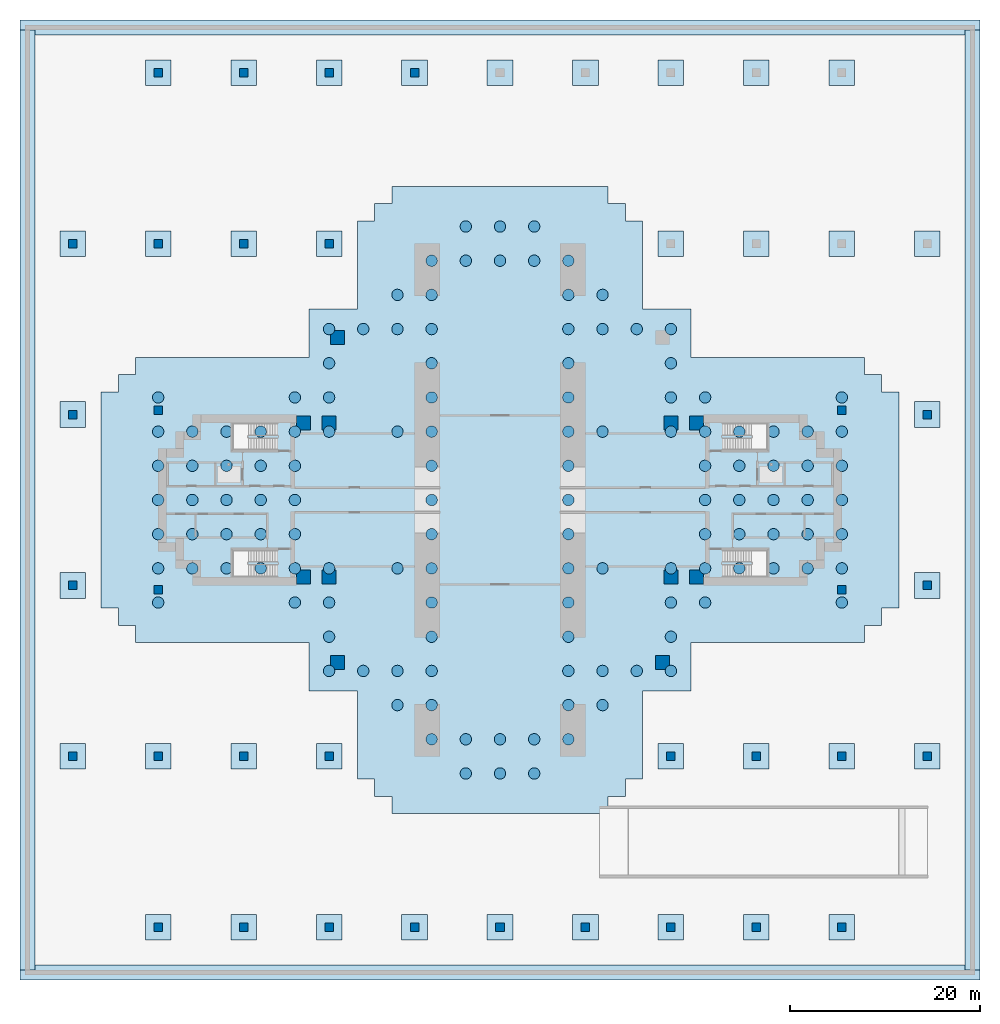
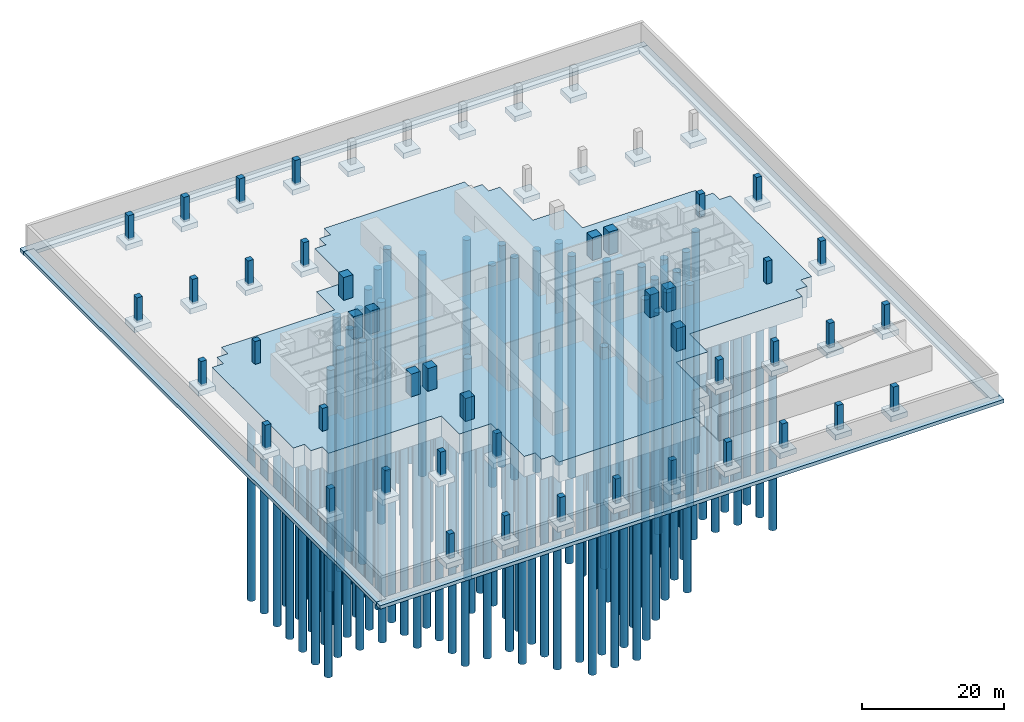
# One storey, part 1 of 11: 132 piles, 44 columns, 43 footings.
"""IFC4 building model written with IfcOpenShell, lengths in metres."""

from ifc_helpers import new_model, si_unit, direction, frame, origin, origin_2d, place, context, subcontext, project, spatial, polyline, rectangle, circle, outline, extrude, material, layer, layer_set, material_profile, profile_set, type_object, element, save


model = new_model("IFC4")

# Units and contexts
model_context = context("Model", 3, precision=1e-05, world=origin(), true_north=direction((0.0, 1.0)))
body_context = subcontext(model_context, "Body", "Model", "MODEL_VIEW")
ifc_project = project(units=[si_unit("LENGTHUNIT", "METRE"), si_unit("AREAUNIT", "SQUARE_METRE"), si_unit("VOLUMEUNIT", "CUBIC_METRE"), si_unit("PLANEANGLEUNIT", "RADIAN"), si_unit("MASSUNIT", "GRAM", prefix="KILO")], contexts=[model_context])

# Site, building, storey
site_placement = place(None, origin())
site = spatial("IfcSite", under=ifc_project, at=site_placement, CompositionType="ELEMENT")
building_placement = place(site_placement, origin())
building = spatial("IfcBuilding", under=site, at=building_placement, Name="Perihelion Cross Residences", CompositionType="ELEMENT")
storey_placement = place(building_placement, frame((0.0, 0.0, -17.10009765625)))
storey = spatial("IfcBuildingStorey", under=building, at=storey_placement, Name="B4", CompositionType="ELEMENT", Elevation=-17.10009765625)

# Piles
ifc_material_1 = material(Name="Concrete C40/50", Category="concrete")
pile_type = type_object("IfcPileType", Name="Bored pile 1200 concrete C40/50", PredefinedType="BORED", material=ifc_material_1)
for number, where, z_axis, x_axis, name in (
    (1, (-36.0, -10.800048828125, -3.4248046875), (0.0, 0.0, -1.0), (1.0, 0.0, 0.0), "Pile PL1 B4 1 no. 1"),
    (2, (-36.0, -7.199951171875, -3.4248046875), (0.0, 0.0, -1.0), (1.0, 0.0, 0.0), "Pile PL1 B4 2 no. 1"),
    (3, (-36.0, -3.60009765625, -3.4248046875), (0.0, 0.0, -1.0), (1.0, 0.0, 0.0), "Pile PL1 B4 3 no. 1"),
    (4, (-36.0, 0.0, -3.4248046875), (0.0, 0.0, -1.0), (1.0, 0.0, 0.0), "Pile PL1 B4 4 no. 1"),
    (5, (-36.0, 3.60009765625, -3.4248046875), (0.0, 0.0, -1.0), (1.0, 0.0, 0.0), "Pile PL1 B4 5 no. 1"),
    (6, (-36.0, 7.199951171875, -3.4248046875), (0.0, 0.0, -1.0), (1.0, 0.0, 0.0), "Pile PL1 B4 6 no. 1"),
    (7, (-36.0, 10.800048828125, -3.4248046875), (0.0, 0.0, -1.0), (1.0, 0.0, 0.0), "Pile PL1 B4 7 no. 1"),
    (8, (-32.39990234375, -7.199951171875, -3.4248046875), (0.0, 0.0, -1.0), (1.0, 0.0, 0.0), "Pile PL1 B4 8 no. 1"),
    (9, (-32.39990234375, -3.60009765625, -3.4248046875), (0.0, 0.0, -1.0), (1.0, 0.0, 0.0), "Pile PL1 B4 9 no. 1"),
    (10, (-32.39990234375, 0.0, -3.4248046875), (0.0, 0.0, -1.0), (1.0, 0.0, 0.0), "Pile PL1 B4 10 no. 1"),
    (11, (-32.39990234375, 3.60009765625, -3.4248046875), (0.0, 0.0, -1.0), (1.0, 0.0, 0.0), "Pile PL1 B4 11 no. 1"),
    (12, (-32.39990234375, 7.199951171875, -3.4248046875), (0.0, 0.0, -1.0), (1.0, 0.0, 0.0), "Pile PL1 B4 12 no. 1"),
    (13, (-28.800048828125, -7.199951171875, -3.4248046875), (0.0, 0.0, -1.0), (1.0, 0.0, 0.0), "Pile PL1 B4 13 no. 1"),
    (14, (-28.800048828125, -3.60009765625, -3.4248046875), (0.0, 0.0, -1.0), (1.0, 0.0, 0.0), "Pile PL1 B4 14 no. 1"),
    (15, (-28.800048828125, 0.0, -3.4248046875), (0.0, 0.0, -1.0), (1.0, 0.0, 0.0), "Pile PL1 B4 15 no. 1"),
    (16, (-28.800048828125, 3.60009765625, -3.4248046875), (0.0, 0.0, -1.0), (1.0, 0.0, 0.0), "Pile PL1 B4 16 no. 1"),
    (17, (-28.800048828125, 7.199951171875, -3.4248046875), (0.0, 0.0, -1.0), (1.0, 0.0, 0.0), "Pile PL1 B4 17 no. 1"),
    (18, (-25.199951171875, -7.199951171875, -3.4248046875), (0.0, 0.0, -1.0), (1.0, 0.0, 0.0), "Pile PL1 B4 18 no. 1"),
    (19, (-25.199951171875, -3.60009765625, -3.4248046875), (0.0, 0.0, -1.0), (1.0, 0.0, 0.0), "Pile PL1 B4 19 no. 1"),
    (20, (-25.199951171875, 0.0, -3.4248046875), (0.0, 0.0, -1.0), (1.0, 0.0, 0.0), "Pile PL1 B4 20 no. 1"),
    (21, (-25.199951171875, 3.60009765625, -3.4248046875), (0.0, 0.0, -1.0), (1.0, 0.0, 0.0), "Pile PL1 B4 21 no. 1"),
    (22, (-25.199951171875, 7.199951171875, -3.4248046875), (0.0, 0.0, -1.0), (1.0, 0.0, 0.0), "Pile PL1 B4 22 no. 1"),
    (23, (-21.60009765625, -10.800048828125, -3.4248046875), (0.0, 0.0, -1.0), (1.0, 0.0, 0.0), "Pile PL1 B4 23 no. 1"),
    (24, (-21.60009765625, -7.199951171875, -3.4248046875), (0.0, 0.0, -1.0), (1.0, 0.0, 0.0), "Pile PL1 B4 24 no. 1"),
    (25, (-21.60009765625, -3.60009765625, -3.4248046875), (0.0, 0.0, -1.0), (1.0, 0.0, 0.0), "Pile PL1 B4 25 no. 1"),
    (26, (-21.60009765625, 0.0, -3.4248046875), (0.0, 0.0, -1.0), (1.0, 0.0, 0.0), "Pile PL1 B4 26 no. 1"),
    (27, (-21.60009765625, 3.60009765625, -3.4248046875), (0.0, 0.0, -1.0), (1.0, 0.0, 0.0), "Pile PL1 B4 27 no. 1"),
    (28, (-21.60009765625, 7.199951171875, -3.4248046875), (0.0, 0.0, -1.0), (1.0, 0.0, 0.0), "Pile PL1 B4 28 no. 1"),
    (29, (-21.60009765625, 10.800048828125, -3.4248046875), (0.0, 0.0, -1.0), (1.0, 0.0, 0.0), "Pile PL1 B4 29 no. 1"),
    (30, (-18.0, -18.0, -3.4248046875), (0.0, 0.0, -1.0), (1.0, 0.0, 0.0), "Pile PL1 B4 30 no. 1"),
    (31, (-18.0, -14.39990234375, -3.4248046875), (0.0, 0.0, -1.0), (1.0, 0.0, 0.0), "Pile PL1 B4 31 no. 1"),
    (32, (-18.0, -10.800048828125, -3.4248046875), (0.0, 0.0, -1.0), (1.0, 0.0, 0.0), "Pile PL1 B4 32 no. 1"),
    (33, (-18.0, -7.199951171875, -3.4248046875), (0.0, 0.0, -1.0), (1.0, 0.0, 0.0), "Pile PL1 B4 33 no. 1"),
    (34, (-18.0, 7.199951171875, -3.4248046875), (0.0, 0.0, -1.0), (1.0, 0.0, 0.0), "Pile PL1 B4 34 no. 1"),
    (35, (-18.0, 10.800048828125, -3.4248046875), (0.0, 0.0, -1.0), (1.0, 0.0, 0.0), "Pile PL1 B4 35 no. 1"),
    (36, (-18.0, 14.39990234375, -3.4248046875), (0.0, 0.0, -1.0), (1.0, 0.0, 0.0), "Pile PL1 B4 36 no. 1"),
    (37, (-18.0, 18.0, -3.4248046875), (0.0, 0.0, -1.0), (1.0, 0.0, 0.0), "Pile PL1 B4 37 no. 1"),
    (38, (-14.39990234375, -18.0, -3.4248046875), (0.0, 0.0, -1.0), (1.0, 0.0, 0.0), "Pile PL1 B4 38 no. 1"),
    (39, (-14.39990234375, 18.0, -3.4248046875), (0.0, 0.0, -1.0), (1.0, 0.0, 0.0), "Pile PL1 B4 39 no. 1"),
    (40, (-10.800048828125, -21.60009765625, -3.4248046875), (0.0, 0.0, -1.0), (1.0, 0.0, 0.0), "Pile PL1 B4 40 no. 1"),
    (41, (-10.800048828125, -18.0, -3.4248046875), (0.0, 0.0, -1.0), (1.0, 0.0, 0.0), "Pile PL1 B4 41 no. 1"),
    (42, (-10.800048828125, -7.199951171875, -3.4248046875), (0.0, 0.0, -1.0), (1.0, 0.0, 0.0), "Pile PL1 B4 42 no. 1"),
    (43, (-10.800048828125, 7.199951171875, -3.4248046875), (0.0, 0.0, -1.0), (1.0, 0.0, 0.0), "Pile PL1 B4 43 no. 1"),
    (44, (-10.800048828125, 18.0, -3.4248046875), (0.0, 0.0, -1.0), (1.0, 0.0, 0.0), "Pile PL1 B4 44 no. 1"),
    (45, (-10.800048828125, 21.60009765625, -3.4248046875), (0.0, 0.0, -1.0), (1.0, 0.0, 0.0), "Pile PL1 B4 45 no. 1"),
    (46, (-7.199951171875, -25.199951171875, -3.4248046875), (0.0, 0.0, -1.0), (1.0, 0.0, 0.0), "Pile PL1 B4 46 no. 1"),
    (47, (-7.199951171875, -21.60009765625, -3.4248046875), (0.0, 0.0, -1.0), (1.0, 0.0, 0.0), "Pile PL1 B4 47 no. 1"),
    (48, (-7.199951171875, -18.0, -3.4248046875), (0.0, 0.0, -1.0), (1.0, 0.0, 0.0), "Pile PL1 B4 48 no. 1"),
    (49, (-7.199951171875, -14.39990234375, -3.4248046875), (0.0, 0.0, -1.0), (1.0, 0.0, 0.0), "Pile PL1 B4 49 no. 1"),
    (50, (-7.199951171875, -10.800048828125, -3.4248046875), (0.0, 0.0, -1.0), (1.0, 0.0, 0.0), "Pile PL1 B4 50 no. 1"),
    (51, (-7.199951171875, -7.199951171875, -3.4248046875), (0.0, 0.0, -1.0), (1.0, 0.0, 0.0), "Pile PL1 B4 51 no. 1"),
    (52, (-7.199951171875, -3.60009765625, -3.4248046875), (0.0, 0.0, -1.0), (1.0, 0.0, 0.0), "Pile PL1 B4 52 no. 1"),
    (53, (-7.199951171875, 0.0, -3.4248046875), (0.0, 0.0, -1.0), (1.0, 0.0, 0.0), "Pile PL1 B4 53 no. 1"),
    (54, (-7.199951171875, 3.60009765625, -3.4248046875), (0.0, 0.0, -1.0), (1.0, 0.0, 0.0), "Pile PL1 B4 54 no. 1"),
    (55, (-7.199951171875, 7.199951171875, -3.4248046875), (0.0, 0.0, -1.0), (1.0, 0.0, 0.0), "Pile PL1 B4 55 no. 1"),
    (56, (-7.199951171875, 10.800048828125, -3.4248046875), (0.0, 0.0, -1.0), (1.0, 0.0, 0.0), "Pile PL1 B4 56 no. 1"),
    (57, (-7.199951171875, 14.39990234375, -3.4248046875), (0.0, 0.0, -1.0), (1.0, 0.0, 0.0), "Pile PL1 B4 57 no. 1"),
    (58, (-7.199951171875, 18.0, -3.4248046875), (0.0, 0.0, -1.0), (1.0, 0.0, 0.0), "Pile PL1 B4 58 no. 1"),
    (59, (-7.199951171875, 21.60009765625, -3.4248046875), (0.0, 0.0, -1.0), (1.0, 0.0, 0.0), "Pile PL1 B4 59 no. 1"),
    (60, (-7.199951171875, 25.199951171875, -3.4248046875), (0.0, 0.0, -1.0), (1.0, 0.0, 0.0), "Pile PL1 B4 60 no. 1"),
    (61, (-3.60009765625, -28.800048828125, -3.4248046875), (0.0, 0.0, -1.0), (1.0, 0.0, 0.0), "Pile PL1 B4 61 no. 1"),
    (62, (-3.60009765625, -25.199951171875, -3.4248046875), (0.0, 0.0, -1.0), (1.0, 0.0, 0.0), "Pile PL1 B4 62 no. 1"),
    (63, (-3.60009765625, 25.199951171875, -3.4248046875), (0.0, 0.0, -1.0), (1.0, 0.0, 0.0), "Pile PL1 B4 63 no. 1"),
    (64, (-3.60009765625, 28.800048828125, -3.4248046875), (0.0, 0.0, -1.0), (1.0, 0.0, 0.0), "Pile PL1 B4 64 no. 1"),
    (65, (0.0, -28.800048828125, -3.4248046875), (0.0, 0.0, -1.0), (1.0, 0.0, 0.0), "Pile PL1 B4 65 no. 1"),
    (66, (0.0, -25.199951171875, -3.4248046875), (0.0, 0.0, -1.0), (1.0, 0.0, 0.0), "Pile PL1 B4 66 no. 1"),
    (67, (0.0, 25.199951171875, -3.4248046875), (0.0, 0.0, -1.0), (1.0, 0.0, 0.0), "Pile PL1 B4 67 no. 1"),
    (68, (0.0, 28.800048828125, -3.4248046875), (0.0, 0.0, -1.0), (1.0, 0.0, 0.0), "Pile PL1 B4 68 no. 1"),
    (69, (3.60009765625, -28.800048828125, -3.4248046875), (0.0, 0.0, -1.0), (1.0, 0.0, 0.0), "Pile PL1 B4 69 no. 1"),
    (70, (3.60009765625, -25.199951171875, -3.4248046875), (0.0, 0.0, -1.0), (1.0, 0.0, 0.0), "Pile PL1 B4 70 no. 1"),
    (71, (3.60009765625, 25.199951171875, -3.4248046875), (0.0, 0.0, -1.0), (1.0, 0.0, 0.0), "Pile PL1 B4 71 no. 1"),
    (72, (3.60009765625, 28.800048828125, -3.4248046875), (0.0, 0.0, -1.0), (1.0, 0.0, 0.0), "Pile PL1 B4 72 no. 1"),
    (73, (7.199951171875, -25.199951171875, -3.4248046875), (0.0, 0.0, -1.0), (1.0, 0.0, 0.0), "Pile PL1 B4 73 no. 1"),
    (74, (7.199951171875, -21.60009765625, -3.4248046875), (0.0, 0.0, -1.0), (1.0, 0.0, 0.0), "Pile PL1 B4 74 no. 1"),
    (75, (7.199951171875, -18.0, -3.4248046875), (0.0, 0.0, -1.0), (1.0, 0.0, 0.0), "Pile PL1 B4 75 no. 1"),
    (76, (7.199951171875, -14.39990234375, -3.4248046875), (0.0, 0.0, -1.0), (1.0, 0.0, 0.0), "Pile PL1 B4 76 no. 1"),
    (77, (7.199951171875, -10.800048828125, -3.4248046875), (0.0, 0.0, -1.0), (1.0, 0.0, 0.0), "Pile PL1 B4 77 no. 1"),
    (78, (7.199951171875, -7.199951171875, -3.4248046875), (0.0, 0.0, -1.0), (1.0, 0.0, 0.0), "Pile PL1 B4 78 no. 1"),
    (79, (7.199951171875, -3.60009765625, -3.4248046875), (0.0, 0.0, -1.0), (1.0, 0.0, 0.0), "Pile PL1 B4 79 no. 1"),
    (80, (7.199951171875, 0.0, -3.4248046875), (0.0, 0.0, -1.0), (1.0, 0.0, 0.0), "Pile PL1 B4 80 no. 1"),
    (81, (7.199951171875, 3.60009765625, -3.4248046875), (0.0, 0.0, -1.0), (1.0, 0.0, 0.0), "Pile PL1 B4 81 no. 1"),
    (82, (7.199951171875, 7.199951171875, -3.4248046875), (0.0, 0.0, -1.0), (1.0, 0.0, 0.0), "Pile PL1 B4 82 no. 1"),
    (83, (7.199951171875, 10.800048828125, -3.4248046875), (0.0, 0.0, -1.0), (1.0, 0.0, 0.0), "Pile PL1 B4 83 no. 1"),
    (84, (7.199951171875, 14.39990234375, -3.4248046875), (0.0, 0.0, -1.0), (1.0, 0.0, 0.0), "Pile PL1 B4 84 no. 1"),
    (85, (7.199951171875, 18.0, -3.4248046875), (0.0, 0.0, -1.0), (1.0, 0.0, 0.0), "Pile PL1 B4 85 no. 1"),
    (86, (7.199951171875, 21.60009765625, -3.4248046875), (0.0, 0.0, -1.0), (1.0, 0.0, 0.0), "Pile PL1 B4 86 no. 1"),
    (87, (7.199951171875, 25.199951171875, -3.4248046875), (0.0, 0.0, -1.0), (1.0, 0.0, 0.0), "Pile PL1 B4 87 no. 1"),
    (88, (10.800048828125, -21.60009765625, -3.4248046875), (0.0, 0.0, -1.0), (1.0, 0.0, 0.0), "Pile PL1 B4 88 no. 1"),
    (89, (10.800048828125, -18.0, -3.4248046875), (0.0, 0.0, -1.0), (1.0, 0.0, 0.0), "Pile PL1 B4 89 no. 1"),
    (90, (10.800048828125, -7.199951171875, -3.4248046875), (0.0, 0.0, -1.0), (1.0, 0.0, 0.0), "Pile PL1 B4 90 no. 1"),
    (91, (10.800048828125, 7.199951171875, -3.4248046875), (0.0, 0.0, -1.0), (1.0, 0.0, 0.0), "Pile PL1 B4 91 no. 1"),
    (92, (10.800048828125, 18.0, -3.4248046875), (0.0, 0.0, -1.0), (1.0, 0.0, 0.0), "Pile PL1 B4 92 no. 1"),
    (93, (10.800048828125, 21.60009765625, -3.4248046875), (0.0, 0.0, -1.0), (1.0, 0.0, 0.0), "Pile PL1 B4 93 no. 1"),
    (94, (14.39990234375, -18.0, -3.4248046875), (0.0, 0.0, -1.0), (1.0, 0.0, 0.0), "Pile PL1 B4 94 no. 1"),
    (95, (14.39990234375, 18.0, -3.4248046875), (0.0, 0.0, -1.0), (1.0, 0.0, 0.0), "Pile PL1 B4 95 no. 1"),
    (96, (18.0, -18.0, -3.4248046875), (0.0, 0.0, -1.0), (1.0, 0.0, 0.0), "Pile PL1 B4 96 no. 1"),
    (97, (18.0, -14.39990234375, -3.4248046875), (0.0, 0.0, -1.0), (1.0, 0.0, 0.0), "Pile PL1 B4 97 no. 1"),
    (98, (18.0, -10.800048828125, -3.4248046875), (0.0, 0.0, -1.0), (1.0, 0.0, 0.0), "Pile PL1 B4 98 no. 1"),
    (99, (18.0, -7.199951171875, -3.4248046875), (0.0, 0.0, -1.0), (1.0, 0.0, 0.0), "Pile PL1 B4 99 no. 1"),
    (100, (18.0, 7.199951171875, -3.4248046875), (0.0, 0.0, -1.0), (1.0, 0.0, 0.0), "Pile PL1 B4 100 no. 1"),
    (101, (18.0, 10.800048828125, -3.4248046875), (0.0, 0.0, -1.0), (1.0, 0.0, 0.0), "Pile PL1 B4 101 no. 1"),
    (102, (18.0, 14.39990234375, -3.4248046875), (0.0, 0.0, -1.0), (1.0, 0.0, 0.0), "Pile PL1 B4 102 no. 1"),
    (103, (18.0, 18.0, -3.4248046875), (0.0, 0.0, -1.0), (1.0, 0.0, 0.0), "Pile PL1 B4 103 no. 1"),
    (104, (21.60009765625, -10.800048828125, -3.4248046875), (0.0, 0.0, -1.0), (1.0, 0.0, 0.0), "Pile PL1 B4 104 no. 1"),
    (105, (21.60009765625, -7.199951171875, -3.4248046875), (0.0, 0.0, -1.0), (1.0, 0.0, 0.0), "Pile PL1 B4 105 no. 1"),
    (106, (21.60009765625, -3.60009765625, -3.4248046875), (0.0, 0.0, -1.0), (1.0, 0.0, 0.0), "Pile PL1 B4 106 no. 1"),
    (107, (21.60009765625, 0.0, -3.4248046875), (0.0, 0.0, -1.0), (1.0, 0.0, 0.0), "Pile PL1 B4 107 no. 1"),
    (108, (21.60009765625, 3.60009765625, -3.4248046875), (0.0, 0.0, -1.0), (1.0, 0.0, 0.0), "Pile PL1 B4 108 no. 1"),
    (109, (21.60009765625, 7.199951171875, -3.4248046875), (0.0, 0.0, -1.0), (1.0, 0.0, 0.0), "Pile PL1 B4 109 no. 1"),
    (110, (21.60009765625, 10.800048828125, -3.4248046875), (0.0, 0.0, -1.0), (1.0, 0.0, 0.0), "Pile PL1 B4 110 no. 1"),
    (111, (25.199951171875, -7.199951171875, -3.4248046875), (0.0, 0.0, -1.0), (1.0, 0.0, 0.0), "Pile PL1 B4 111 no. 1"),
    (112, (25.199951171875, -3.60009765625, -3.4248046875), (0.0, 0.0, -1.0), (1.0, 0.0, 0.0), "Pile PL1 B4 112 no. 1"),
    (113, (25.199951171875, 0.0, -3.4248046875), (0.0, 0.0, -1.0), (1.0, 0.0, 0.0), "Pile PL1 B4 113 no. 1"),
    (114, (25.199951171875, 3.60009765625, -3.4248046875), (0.0, 0.0, -1.0), (1.0, 0.0, 0.0), "Pile PL1 B4 114 no. 1"),
    (115, (25.199951171875, 7.199951171875, -3.4248046875), (0.0, 0.0, -1.0), (1.0, 0.0, 0.0), "Pile PL1 B4 115 no. 1"),
    (116, (28.800048828125, -7.199951171875, -3.4248046875), (0.0, 0.0, -1.0), (1.0, 0.0, 0.0), "Pile PL1 B4 116 no. 1"),
    (117, (28.800048828125, -3.60009765625, -3.4248046875), (0.0, 0.0, -1.0), (1.0, 0.0, 0.0), "Pile PL1 B4 117 no. 1"),
    (118, (28.800048828125, 0.0, -3.4248046875), (0.0, 0.0, -1.0), (1.0, 0.0, 0.0), "Pile PL1 B4 118 no. 1"),
    (119, (28.800048828125, 3.60009765625, -3.4248046875), (0.0, 0.0, -1.0), (1.0, 0.0, 0.0), "Pile PL1 B4 119 no. 1"),
    (120, (28.800048828125, 7.199951171875, -3.4248046875), (0.0, 0.0, -1.0), (1.0, 0.0, 0.0), "Pile PL1 B4 120 no. 1"),
    (121, (32.39990234375, -7.199951171875, -3.4248046875), (0.0, 0.0, -1.0), (1.0, 0.0, 0.0), "Pile PL1 B4 121 no. 1"),
    (122, (32.39990234375, -3.60009765625, -3.4248046875), (0.0, 0.0, -1.0), (1.0, 0.0, 0.0), "Pile PL1 B4 122 no. 1"),
    (123, (32.39990234375, 0.0, -3.4248046875), (0.0, 0.0, -1.0), (1.0, 0.0, 0.0), "Pile PL1 B4 123 no. 1"),
    (124, (32.39990234375, 3.60009765625, -3.4248046875), (0.0, 0.0, -1.0), (1.0, 0.0, 0.0), "Pile PL1 B4 124 no. 1"),
    (125, (32.39990234375, 7.199951171875, -3.4248046875), (0.0, 0.0, -1.0), (1.0, 0.0, 0.0), "Pile PL1 B4 125 no. 1"),
    (126, (36.0, -10.800048828125, -3.4248046875), (0.0, 0.0, -1.0), (1.0, 0.0, 0.0), "Pile PL1 B4 126 no. 1"),
    (127, (36.0, -7.199951171875, -3.4248046875), (0.0, 0.0, -1.0), (1.0, 0.0, 0.0), "Pile PL1 B4 127 no. 1"),
    (128, (36.0, -3.60009765625, -3.4248046875), (0.0, 0.0, -1.0), (1.0, 0.0, 0.0), "Pile PL1 B4 128 no. 1"),
    (129, (36.0, 0.0, -3.4248046875), (0.0, 0.0, -1.0), (1.0, 0.0, 0.0), "Pile PL1 B4 129 no. 1"),
    (130, (36.0, 3.60009765625, -3.4248046875), (0.0, 0.0, -1.0), (1.0, 0.0, 0.0), "Pile PL1 B4 130 no. 1"),
    (131, (36.0, 7.199951171875, -3.4248046875), (0.0, 0.0, -1.0), (1.0, 0.0, 0.0), "Pile PL1 B4 131 no. 1"),
    (132, (36.0, 10.800048828125, -3.4248046875), (0.0, 0.0, -1.0), (1.0, 0.0, 0.0), "Pile PL1 B4 132 no. 1"),
):
    element("IfcPile", number, at=place(storey_placement, frame(where, z_axis=z_axis, x_axis=x_axis)), inside=storey, type_object=pile_type, Name=name, PredefinedType="BORED", context=body_context, shape_type="SweptSolid", body=[
        extrude(circle(Radius=0.60009765625, at=origin_2d()), origin(), (0.0, 0.0, 1.0), 38.0),
    ])

# Footings
ifc_material_2 = material(Name="Concrete C40/50", Category="concrete")
ifc_layer_1 = layer(ifc_material_2, 0.89990234375)
ifc_layer_set_1 = layer_set([ifc_layer_1], Name="Pad footing 2700 concrete C40/50")
footing_type_1 = type_object("IfcFootingType", Name="Pad footing 2700 concrete C40/50", PredefinedType="PAD_FOOTING", material=ifc_layer_set_1)
for number, where, z_axis, x_axis, name in (
    (133, (-45.0, -27.0, -1.199951171875), (0.0, 0.0, 1.0), (1.0, 0.0, 0.0), "Pad footing F3 B4 no. 13"),
    (134, (-45.0, -9.0, -1.199951171875), (0.0, 0.0, 1.0), (1.0, 0.0, 0.0), "Pad footing F3 B4 no. 14"),
    (135, (-45.0, 9.0, -1.199951171875), (0.0, 0.0, 1.0), (1.0, 0.0, 0.0), "Pad footing F3 B4 no. 16"),
    (136, (-45.0, 27.0, -1.199951171875), (0.0, 0.0, 1.0), (1.0, 0.0, 0.0), "Pad footing F3 B4 no. 15"),
    (137, (-36.0, -45.0, -1.199951171875), (0.0, 0.0, 1.0), (1.0, 0.0, 0.0), "Pad footing F3 B4 no. 10"),
    (138, (-36.0, -27.0, -1.199951171875), (0.0, 0.0, 1.0), (1.0, 0.0, 0.0), "Pad footing F3 B4 no. 9"),
    (139, (-36.0, 27.0, -1.199951171875), (0.0, 0.0, 1.0), (1.0, 0.0, 0.0), "Pad footing F3 B4 no. 11"),
    (140, (-36.0, 45.0, -1.199951171875), (0.0, 0.0, 1.0), (1.0, 0.0, 0.0), "Pad footing F3 B4 no. 12"),
    (141, (-27.0, -45.0, -1.199951171875), (0.0, 0.0, 1.0), (1.0, 0.0, 0.0), "Pad footing F3 B4 no. 6"),
    (142, (-27.0, -27.0, -1.199951171875), (0.0, 0.0, 1.0), (1.0, 0.0, 0.0), "Pad footing F3 B4 no. 5"),
    (143, (-27.0, 27.0, -1.199951171875), (0.0, 0.0, 1.0), (1.0, 0.0, 0.0), "Pad footing F3 B4 no. 7"),
    (144, (-27.0, 45.0, -1.199951171875), (0.0, 0.0, 1.0), (1.0, 0.0, 0.0), "Pad footing F3 B4 no. 8"),
    (145, (-18.0, -45.0, -1.199951171875), (0.0, 0.0, 1.0), (1.0, 0.0, 0.0), "Pad footing F3 B4 no. 2"),
    (146, (-18.0, -27.0, -1.199951171875), (0.0, 0.0, 1.0), (1.0, 0.0, 0.0), "Pad footing F3 B4 no. 1"),
    (147, (-18.0, 27.0, -1.199951171875), (0.0, 0.0, 1.0), (1.0, 0.0, 0.0), "Pad footing F3 B4 no. 3"),
    (148, (-18.0, 45.0, -1.199951171875), (0.0, 0.0, 1.0), (1.0, 0.0, 0.0), "Pad footing F3 B4 no. 4"),
    (149, (-9.0, -45.0, -1.199951171875), (0.0, 0.0, 1.0), (1.0, 0.0, 0.0), "Pad footing F3 B4 no. 17"),
    (150, (-9.0, 45.0, -1.199951171875), (0.0, 0.0, 1.0), (1.0, 0.0, 0.0), "Pad footing F3 B4 no. 18"),
    (151, (0.0, -45.0, -1.199951171875), (0.0, 0.0, 1.0), (1.0, 0.0, 0.0), "Pad footing F3 B4 no. 19"),
    (152, (0.0, 45.0, -1.199951171875), (0.0, 0.0, 1.0), (1.0, 0.0, 0.0), "Pad footing F3 B4 no. 20"),
    (153, (9.0, -45.0, -1.199951171875), (0.0, 0.0, 1.0), (1.0, 0.0, 0.0), "Pad footing F3 B4 no. 37"),
    (154, (9.0, 45.0, -1.199951171875), (0.0, 0.0, 1.0), (1.0, 0.0, 0.0), "Pad footing F3 B4 no. 38"),
    (155, (18.0, -45.0, -1.199951171875), (0.0, 0.0, 1.0), (1.0, 0.0, 0.0), "Pad footing F3 B4 no. 22"),
    (156, (18.0, -27.0, -1.199951171875), (0.0, 0.0, 1.0), (1.0, 0.0, 0.0), "Pad footing F3 B4 no. 21"),
    (157, (18.0, 27.0, -1.199951171875), (0.0, 0.0, 1.0), (1.0, 0.0, 0.0), "Pad footing F3 B4 no. 23"),
    (158, (18.0, 45.0, -1.199951171875), (0.0, 0.0, 1.0), (1.0, 0.0, 0.0), "Pad footing F3 B4 no. 24"),
    (159, (27.0, -45.0, -1.199951171875), (0.0, 0.0, 1.0), (1.0, 0.0, 0.0), "Pad footing F3 B4 no. 26"),
    (160, (27.0, -27.0, -1.199951171875), (0.0, 0.0, 1.0), (1.0, 0.0, 0.0), "Pad footing F3 B4 no. 25"),
    (161, (27.0, 27.0, -1.199951171875), (0.0, 0.0, 1.0), (1.0, 0.0, 0.0), "Pad footing F3 B4 no. 27"),
    (162, (27.0, 45.0, -1.199951171875), (0.0, 0.0, 1.0), (1.0, 0.0, 0.0), "Pad footing F3 B4 no. 28"),
    (163, (36.0, -45.0, -1.199951171875), (0.0, 0.0, 1.0), (1.0, 0.0, 0.0), "Pad footing F3 B4 no. 30"),
    (164, (36.0, -27.0, -1.199951171875), (0.0, 0.0, 1.0), (1.0, 0.0, 0.0), "Pad footing F3 B4 no. 29"),
    (165, (36.0, 27.0, -1.199951171875), (0.0, 0.0, 1.0), (1.0, 0.0, 0.0), "Pad footing F3 B4 no. 31"),
    (166, (36.0, 45.0, -1.199951171875), (0.0, 0.0, 1.0), (1.0, 0.0, 0.0), "Pad footing F3 B4 no. 32"),
    (167, (45.0, -27.0, -1.199951171875), (0.0, 0.0, 1.0), (1.0, 0.0, 0.0), "Pad footing F3 B4 no. 33"),
    (168, (45.0, -9.0, -1.199951171875), (0.0, 0.0, 1.0), (1.0, 0.0, 0.0), "Pad footing F3 B4 no. 34"),
    (169, (45.0, 9.0, -1.199951171875), (0.0, 0.0, 1.0), (1.0, 0.0, 0.0), "Pad footing F3 B4 no. 36"),
    (170, (45.0, 27.0, -1.199951171875), (0.0, 0.0, 1.0), (1.0, 0.0, 0.0), "Pad footing F3 B4 no. 35"),
):
    element("IfcFooting", number, at=place(storey_placement, frame(where, z_axis=z_axis, x_axis=x_axis)), inside=storey, type_object=footing_type_1, Name=name, PredefinedType="PAD_FOOTING", context=body_context, shape_type="SweptSolid", body=[
        extrude(rectangle(XDim=2.699951171875, YDim=2.699951171875, at=origin_2d()), origin(), (0.0, 0.0, 1.0), 0.89990234375),
    ])
ifc_material_3 = material(Name="Concrete C40/50", Category="concrete")
footing_type_2 = type_object("IfcFootingType", Name="Strip footing concrete C40/50", PredefinedType="STRIP_FOOTING", material=ifc_material_3)
footing_1_placement = place(storey_placement, frame((0.0, 0.0, -0.89990234375)))
element("IfcFooting", 171, at=footing_1_placement, inside=storey, type_object=footing_type_2, Name="Strip footing F2 B4 north", PredefinedType="STRIP_FOOTING", context=body_context, shape_type="SweptSolid", body=[
    extrude(outline(polyline([(-50.550048828125, 48.949951171875), (50.550048828125, 48.949951171875), (50.550048828125, 50.550048828125), (-50.550048828125, 50.550048828125), (-50.550048828125, 48.949951171875)])), origin(), (0.0, 0.0, 1.0), 0.60009765625),
])
footing_2_placement = place(storey_placement, frame((0.0, 0.0, -0.89990234375)))
element("IfcFooting", 172, at=footing_2_placement, inside=storey, type_object=footing_type_2, Name="Strip footing F2 B4 south", PredefinedType="STRIP_FOOTING", context=body_context, shape_type="SweptSolid", body=[
    extrude(outline(polyline([(-50.550048828125, -50.550048828125), (50.550048828125, -50.550048828125), (50.550048828125, -48.949951171875), (-50.550048828125, -48.949951171875), (-50.550048828125, -50.550048828125)])), origin(), (0.0, 0.0, 1.0), 0.60009765625),
])
footing_3_placement = place(storey_placement, frame((0.0, 0.0, -0.89990234375)))
element("IfcFooting", 173, at=footing_3_placement, inside=storey, type_object=footing_type_2, Name="Strip footing F2 B4 east", PredefinedType="STRIP_FOOTING", context=body_context, shape_type="SweptSolid", body=[
    extrude(outline(polyline([(48.949951171875, -49.5), (50.550048828125, -49.5), (50.550048828125, 49.5), (48.949951171875, 49.5), (48.949951171875, -49.5)])), origin(), (0.0, 0.0, 1.0), 0.60009765625),
])
footing_4_placement = place(storey_placement, frame((0.0, 0.0, -0.89990234375)))
element("IfcFooting", 174, at=footing_4_placement, inside=storey, type_object=footing_type_2, Name="Strip footing F2 B4 west", PredefinedType="STRIP_FOOTING", context=body_context, shape_type="SweptSolid", body=[
    extrude(outline(polyline([(-50.550048828125, -49.5), (-48.949951171875, -49.5), (-48.949951171875, 49.5), (-50.550048828125, 49.5), (-50.550048828125, -49.5)])), origin(), (0.0, 0.0, 1.0), 0.60009765625),
])
ifc_material_4 = material(Name="Concrete C50/60", Category="concrete")
ifc_layer_2 = layer(ifc_material_4, 3.5)
ifc_layer_set_2 = layer_set([ifc_layer_2], Name="Tower raft concrete C50/60")
footing_type_3 = type_object("IfcFootingType", Name="Tower raft concrete C50/60", PredefinedType="PILE_CAP", material=ifc_layer_set_2)
footing_5_placement = place(storey_placement, frame((0.0, 0.0, -3.5)))
element("IfcFooting", 175, at=footing_5_placement, inside=storey, type_object=footing_type_3, Name="Raft F1 B4 tower", PredefinedType="PILE_CAP", context=body_context, shape_type="SweptSolid", body=[
    extrude(outline(polyline([(-20.10009765625, -15.0), (-38.39990234375, -15.0), (-38.39990234375, -13.199951171875), (-40.199951171875, -13.199951171875), (-40.199951171875, -11.39990234375), (-42.0, -11.39990234375), (-42.0, 11.39990234375), (-40.199951171875, 11.39990234375), (-40.199951171875, 13.199951171875), (-38.39990234375, 13.199951171875), (-38.39990234375, 15.0), (-20.10009765625, 15.0), (-20.10009765625, 20.10009765625), (-15.0, 20.10009765625), (-15.0, 29.39990234375), (-13.199951171875, 29.39990234375), (-13.199951171875, 31.199951171875), (-11.39990234375, 31.199951171875), (-11.39990234375, 33.0), (11.39990234375, 33.0), (11.39990234375, 31.199951171875), (13.199951171875, 31.199951171875), (13.199951171875, 29.39990234375), (15.0, 29.39990234375), (15.0, 20.10009765625), (20.10009765625, 20.10009765625), (20.10009765625, 15.0), (38.39990234375, 15.0), (38.39990234375, 13.199951171875), (40.199951171875, 13.199951171875), (40.199951171875, 11.39990234375), (42.0, 11.39990234375), (42.0, -11.39990234375), (40.199951171875, -11.39990234375), (40.199951171875, -13.199951171875), (38.39990234375, -13.199951171875), (38.39990234375, -15.0), (20.10009765625, -15.0), (20.10009765625, -20.10009765625), (15.0, -20.10009765625), (15.0, -29.39990234375), (13.199951171875, -29.39990234375), (13.199951171875, -31.199951171875), (11.39990234375, -31.199951171875), (11.39990234375, -33.0), (-11.39990234375, -33.0), (-11.39990234375, -31.199951171875), (-13.199951171875, -31.199951171875), (-13.199951171875, -29.39990234375), (-15.0, -29.39990234375), (-15.0, -20.10009765625), (-20.10009765625, -20.10009765625), (-20.10009765625, -15.0)])), origin(), (0.0, 0.0, 1.0), 3.5),
])

# Columns
ifc_material_5 = material(Name="Concrete C80/95", Category="concrete")
ifc_material_profile_1 = material_profile(ifc_material_5, rectangle(XDim=1.5, YDim=1.5, at=origin_2d()), Name="RC 1500x1500")
ifc_profile_set_1 = profile_set([ifc_material_profile_1], Name="Concrete C80/95")
column_type_1 = type_object("IfcColumnType", Name="Reinforced concrete column 1500x1500 C80/95", PredefinedType="COLUMN", material=ifc_profile_set_1)
for number, where, z_axis, x_axis, name in (
    (176, (-20.699951171875, -8.10009765625, 0.0), (0.0, 0.0, 1.0), (1.0, 0.0, 0.0), "Column C017 B4 no. 1"),
    (177, (-20.699951171875, 8.10009765625, 0.0), (0.0, 0.0, 1.0), (1.0, 0.0, 0.0), "Column C010 B4 no. 1"),
    (178, (-18.0, -8.10009765625, 0.0), (0.0, 0.0, 1.0), (1.0, 0.0, 0.0), "Column C018 B4 no. 1"),
    (179, (-18.0, 8.10009765625, 0.0), (0.0, 0.0, 1.0), (1.0, 0.0, 0.0), "Column C011 B4 no. 1"),
    (180, (18.0, -8.10009765625, 0.0), (0.0, 0.0, 1.0), (1.0, 0.0, 0.0), "Column C021 B4 no. 1"),
    (181, (18.0, 8.10009765625, 0.0), (0.0, 0.0, 1.0), (1.0, 0.0, 0.0), "Column C015 B4 no. 1"),
    (182, (20.699951171875, -8.10009765625, 0.0), (0.0, 0.0, 1.0), (1.0, 0.0, 0.0), "Column C022 B4 no. 1"),
    (183, (20.699951171875, 8.10009765625, 0.0), (0.0, 0.0, 1.0), (1.0, 0.0, 0.0), "Column C016 B4 no. 1"),
    (184, (-17.10009765625, 17.10009765625, 0.0), (0.0, 0.0, 1.0), (1.0, 0.0, 0.0), "Column C008 B4 no. 1"),
    (185, (-17.10009765625, -17.10009765625, 0.0), (0.0, 0.0, 1.0), (1.0, 0.0, 0.0), "Column C030 B4 no. 1"),
    (186, (17.10009765625, -17.10009765625, 0.0), (0.0, 0.0, 1.0), (1.0, 0.0, 0.0), "Column C036 B4 no. 1"),
):
    element("IfcColumn", number, at=place(storey_placement, frame(where, z_axis=z_axis, x_axis=x_axis)), inside=storey, type_object=column_type_1, Name=name, PredefinedType="COLUMN", context=body_context, shape_type="SweptSolid", body=[
        extrude(rectangle(XDim=1.5, YDim=1.5, at=origin_2d()), origin(), (0.0, 0.0, 1.0), 3.900146484375),
    ])
ifc_material_6 = material(Name="Concrete C50/60", Category="concrete")
ifc_material_profile_2 = material_profile(ifc_material_6, rectangle(XDim=0.89990234375, YDim=0.89990234375, at=origin_2d()), Name="RC 900x900")
ifc_profile_set_2 = profile_set([ifc_material_profile_2], Name="Concrete C50/60")
column_type_2 = type_object("IfcColumnType", Name="Reinforced concrete column 900x900 C50/60", PredefinedType="COLUMN", material=ifc_profile_set_2)
for number, where, z_axis, x_axis, name in (
    (187, (-45.0, -27.0, -0.2998046875), (0.0, 0.0, 1.0), (1.0, 0.0, 0.0), "Column CP12 B4 no. 1"),
    (188, (-45.0, -9.0, -0.2998046875), (0.0, 0.0, 1.0), (1.0, 0.0, 0.0), "Column CP13 B4 no. 1"),
    (189, (-45.0, 9.0, -0.2998046875), (0.0, 0.0, 1.0), (1.0, 0.0, 0.0), "Column CP14 B4 no. 1"),
    (190, (-45.0, 27.0, -0.2998046875), (0.0, 0.0, 1.0), (1.0, 0.0, 0.0), "Column CP15 B4 no. 1"),
    (191, (-36.0, -45.0, -0.2998046875), (0.0, 0.0, 1.0), (1.0, 0.0, 0.0), "Column CP21 B4 no. 1"),
    (192, (-36.0, -27.0, -0.2998046875), (0.0, 0.0, 1.0), (1.0, 0.0, 0.0), "Column CP22 B4 no. 1"),
    (193, (-36.0, 27.0, -0.2998046875), (0.0, 0.0, 1.0), (1.0, 0.0, 0.0), "Column CP25 B4 no. 1"),
    (194, (-36.0, 45.0, -0.2998046875), (0.0, 0.0, 1.0), (1.0, 0.0, 0.0), "Column CP26 B4 no. 1"),
    (195, (-27.0, -45.0, -0.2998046875), (0.0, 0.0, 1.0), (1.0, 0.0, 0.0), "Column CP31 B4 no. 1"),
    (196, (-27.0, -27.0, -0.2998046875), (0.0, 0.0, 1.0), (1.0, 0.0, 0.0), "Column CP32 B4 no. 1"),
    (197, (-27.0, 27.0, -0.2998046875), (0.0, 0.0, 1.0), (1.0, 0.0, 0.0), "Column CP35 B4 no. 1"),
    (198, (-27.0, 45.0, -0.2998046875), (0.0, 0.0, 1.0), (1.0, 0.0, 0.0), "Column CP36 B4 no. 1"),
    (199, (-18.0, -45.0, -0.2998046875), (0.0, 0.0, 1.0), (1.0, 0.0, 0.0), "Column CP41 B4 no. 1"),
    (200, (-18.0, -27.0, -0.2998046875), (0.0, 0.0, 1.0), (1.0, 0.0, 0.0), "Column CP42 B4 no. 1"),
    (201, (-18.0, 27.0, -0.2998046875), (0.0, 0.0, 1.0), (1.0, 0.0, 0.0), "Column CP45 B4 no. 1"),
    (202, (-18.0, 45.0, -0.2998046875), (0.0, 0.0, 1.0), (1.0, 0.0, 0.0), "Column CP46 B4 no. 1"),
    (203, (-9.0, -45.0, -0.2998046875), (0.0, 0.0, 1.0), (1.0, 0.0, 0.0), "Column CP51 B4 no. 1"),
    (204, (-9.0, 45.0, -0.2998046875), (0.0, 0.0, 1.0), (1.0, 0.0, 0.0), "Column CP56 B4 no. 1"),
    (205, (0.0, -45.0, -0.2998046875), (0.0, 0.0, 1.0), (1.0, 0.0, 0.0), "Column CP61 B4 no. 1"),
    (206, (9.0, -45.0, -0.2998046875), (0.0, 0.0, 1.0), (1.0, 0.0, 0.0), "Column CP71 B4 no. 1"),
    (207, (18.0, -45.0, -0.2998046875), (0.0, 0.0, 1.0), (1.0, 0.0, 0.0), "Column CP81 B4 no. 1"),
    (208, (18.0, -27.0, -0.2998046875), (0.0, 0.0, 1.0), (1.0, 0.0, 0.0), "Column CP82 B4 no. 1"),
    (209, (27.0, -45.0, -0.2998046875), (0.0, 0.0, 1.0), (1.0, 0.0, 0.0), "Column CP91 B4 no. 1"),
    (210, (27.0, -27.0, -0.2998046875), (0.0, 0.0, 1.0), (1.0, 0.0, 0.0), "Column CP92 B4 no. 1"),
    (211, (36.0, -45.0, -0.2998046875), (0.0, 0.0, 1.0), (1.0, 0.0, 0.0), "Column CP101 B4 no. 1"),
    (212, (36.0, -27.0, -0.2998046875), (0.0, 0.0, 1.0), (1.0, 0.0, 0.0), "Column CP102 B4 no. 1"),
    (213, (45.0, -27.0, -0.2998046875), (0.0, 0.0, 1.0), (1.0, 0.0, 0.0), "Column CP112 B4 no. 1"),
    (214, (45.0, -9.0, -0.2998046875), (0.0, 0.0, 1.0), (1.0, 0.0, 0.0), "Column CP113 B4 no. 1"),
    (215, (45.0, 9.0, -0.2998046875), (0.0, 0.0, 1.0), (1.0, 0.0, 0.0), "Column CP114 B4 no. 1"),
):
    element("IfcColumn", number, at=place(storey_placement, frame(where, z_axis=z_axis, x_axis=x_axis)), inside=storey, type_object=column_type_2, Name=name, PredefinedType="COLUMN", context=body_context, shape_type="SweptSolid", body=[
        extrude(rectangle(XDim=0.89990234375, YDim=0.89990234375, at=origin_2d()), origin(), (0.0, 0.0, 1.0), 4.199951171875),
    ])
for number, where, z_axis, x_axis, name in (
    (216, (36.0, 9.449951171875, 0.0), (0.0, 0.0, 1.0), (1.0, 0.0, 0.0), "Column LC1 B4 loggia no. 1"),
    (217, (36.0, -9.449951171875, 0.0), (0.0, 0.0, 1.0), (1.0, 0.0, 0.0), "Column LC2 B4 loggia no. 1"),
    (218, (-36.0, 9.449951171875, 0.0), (0.0, 0.0, 1.0), (1.0, 0.0, 0.0), "Column LC3 B4 loggia no. 1"),
    (219, (-36.0, -9.449951171875, 0.0), (0.0, 0.0, 1.0), (1.0, 0.0, 0.0), "Column LC4 B4 loggia no. 1"),
):
    element("IfcColumn", number, at=place(storey_placement, frame(where, z_axis=z_axis, x_axis=x_axis)), inside=storey, type_object=column_type_2, Name=name, PredefinedType="COLUMN", context=body_context, shape_type="SweptSolid", body=[
        extrude(rectangle(XDim=0.89990234375, YDim=0.89990234375, at=origin_2d()), origin(), (0.0, 0.0, 1.0), 3.900146484375),
    ])

save(model, "model.ifc")
